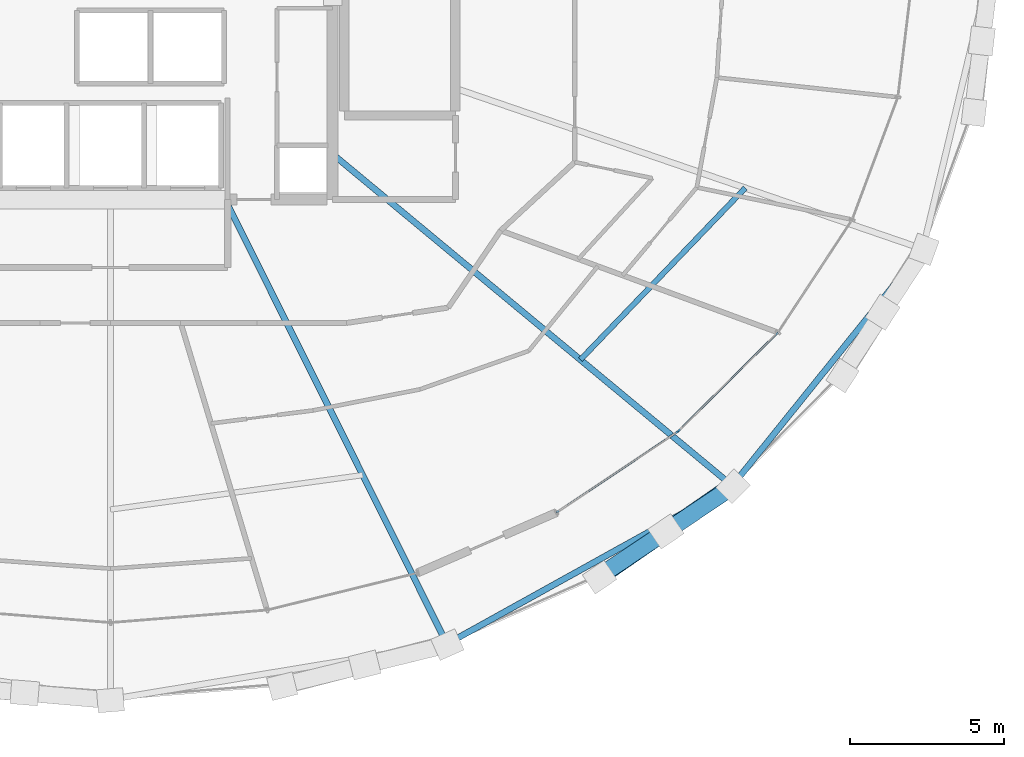
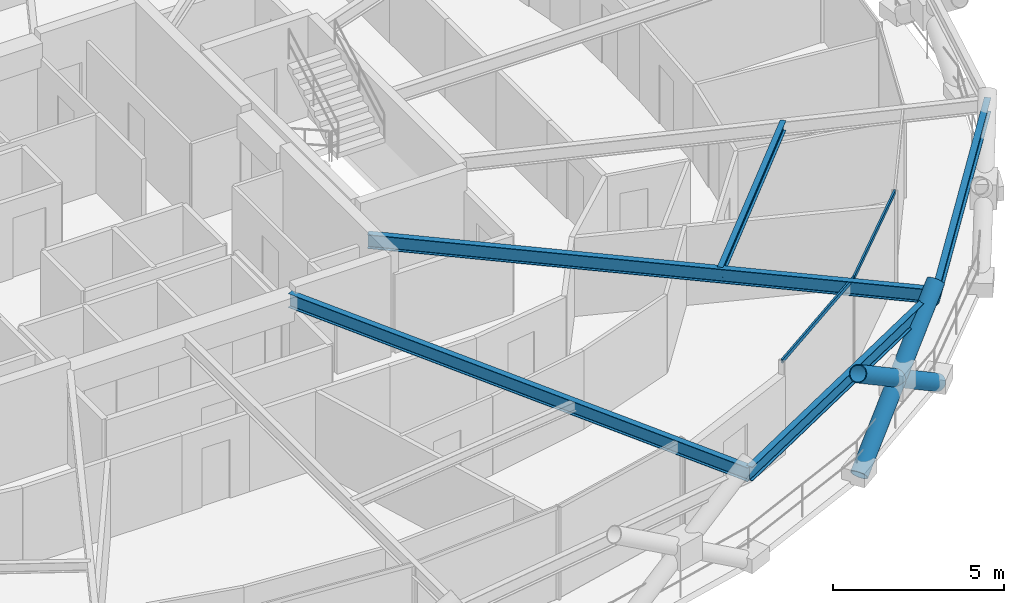
# One storey, part 5 of 20: 5 beams, 5 members, 1 element without a shape of its own.
"""IFC4 building model written with IfcOpenShell, lengths in metres."""

from ifc_helpers import new_model, si_unit, direction, frame, origin, origin_2d, place, context, subcontext, project, spatial, hollow_rectangle, hollow_circle, i_section, extrude, material, layer, layer_set, material_profile, profile_set, type_object, element, aggregate, save


model = new_model("IFC4")

# Units and contexts
model_context = context("Model", 3, precision=1e-05, world=origin(), true_north=direction((0.0, 1.0)))
body_context = subcontext(model_context, "Body", "Model", "MODEL_VIEW")
ifc_project = project(units=[si_unit("LENGTHUNIT", "METRE"), si_unit("AREAUNIT", "SQUARE_METRE"), si_unit("VOLUMEUNIT", "CUBIC_METRE"), si_unit("PLANEANGLEUNIT", "RADIAN"), si_unit("MASSUNIT", "GRAM", prefix="KILO")], contexts=[model_context])

# Site, building, storey
site_placement = place(None, origin())
site = spatial("IfcSite", under=ifc_project, at=site_placement, CompositionType="ELEMENT")
building_placement = place(site_placement, origin())
building = spatial("IfcBuilding", under=site, at=building_placement, Name="Veldorina Hangang Commons", CompositionType="ELEMENT")
storey_placement = place(building_placement, frame((0.0, 0.0, 131.60009765625)))
storey = spatial("IfcBuildingStorey", under=building, at=storey_placement, Name="L33", CompositionType="ELEMENT", Elevation=131.60009765625)

# Beams
ifc_material_1 = material(Name="Steel SM420-TMC", Category="steel")
ifc_material_profile_1 = material_profile(ifc_material_1, i_section(OverallWidth=0.199951171875, OverallDepth=0.5, WebThickness=0.010009765625, FlangeThickness=0.01611328125, FilletRadius=0.01611328125, at=origin_2d()), Name="H-500x200x10x16")
ifc_profile_set_1 = profile_set([ifc_material_profile_1], Name="Steel SM420-TMC")
beam_type_1 = type_object("IfcBeamType", Name="BM-FG500", PredefinedType="BEAM", material=ifc_profile_set_1)
beam_1_placement = place(storey_placement, frame((35.718994140625, 16.550048828125, 3.099853515625), z_axis=(0.446612976084, -0.894727248715, 0.0), x_axis=(0.894727248715, 0.446612976084, 0.0)))
element("IfcBeam", 1, at=beam_1_placement, inside=storey, type_object=beam_type_1, Name="L33 radial floor girder 14", PredefinedType="BEAM", context=body_context, shape_type="SweptSolid", body=[
    extrude(i_section(OverallWidth=0.199951171875, OverallDepth=0.5, WebThickness=0.010009765625, FlangeThickness=0.01611328125, FilletRadius=0.01611328125, at=origin_2d()), origin(), (0.0, 0.0, 1.0), 16.099365234375),
])
beam_2_placement = place(storey_placement, frame((39.199951171875, 18.025390625, 3.099853515625), z_axis=(0.769568516304, -0.638564247914, 0.0), x_axis=(0.638564247914, 0.769568516304, 0.0)))
element("IfcBeam", 2, at=beam_2_placement, inside=storey, type_object=beam_type_1, Name="L33 radial floor girder 15", PredefinedType="BEAM", context=body_context, shape_type="SweptSolid", body=[
    extrude(i_section(OverallWidth=0.199951171875, OverallDepth=0.5, WebThickness=0.010009765625, FlangeThickness=0.01611328125, FilletRadius=0.01611328125, at=origin_2d()), origin(), (0.0, 0.0, 1.0), 16.837646484375),
])
ifc_material_2 = material(Name="Steel SM355-TMC", Category="steel")
ifc_material_profile_2 = material_profile(ifc_material_2, i_section(OverallWidth=0.175048828125, OverallDepth=0.35009765625, WebThickness=0.007080078125, FlangeThickness=0.010986328125, FilletRadius=0.012939453125, at=origin_2d()), Name="H-350x175x7x11")
ifc_profile_set_2 = profile_set([ifc_material_profile_2], Name="Steel SM355-TMC")
beam_type_2 = type_object("IfcBeamType", Name="BM-JST350", PredefinedType="JOIST", material=ifc_profile_set_2)
beam_3_placement = place(storey_placement, frame((47.23388671875, 11.359130859375, 3.1748046875), z_axis=(0.69240472255, 0.721509320931, 0.0), x_axis=(-0.721509320931, 0.69240472255, 0.0)))
element("IfcBeam", 3, at=beam_3_placement, inside=storey, type_object=beam_type_2, Name="L33 secondary floor joist 15", PredefinedType="JOIST", context=body_context, shape_type="SweptSolid", body=[
    extrude(i_section(OverallWidth=0.175048828125, OverallDepth=0.35009765625, WebThickness=0.007080078125, FlangeThickness=0.010986328125, FilletRadius=0.012939453125, at=origin_2d()), origin(), (0.0, 0.0, 1.0), 7.71728515625),
])
ifc_material_profile_3 = material_profile(ifc_material_1, i_section(OverallWidth=0.199951171875, OverallDepth=0.5, WebThickness=0.010009765625, FlangeThickness=0.01611328125, FilletRadius=0.01611328125, at=origin_2d()), Name="H-500x200x10x16")
ifc_profile_set_3 = profile_set([ifc_material_profile_3], Name="Steel SM420-TMC")
beam_type_3 = type_object("IfcBeamType", Name="BM-RB500", PredefinedType="BEAM", material=ifc_profile_set_3)
beam_4_placement = place(storey_placement, frame((42.9091796875, 2.1455078125, 3.099853515625), z_axis=(0.8745642501, 0.484909653902, 0.0), x_axis=(-0.484909653902, 0.8745642501, 0.0)))
element("IfcBeam", 4, at=beam_4_placement, inside=storey, type_object=beam_type_3, Name="L33 perimeter hoop ring beam 26", PredefinedType="BEAM", context=body_context, shape_type="SweptSolid", body=[
    extrude(i_section(OverallWidth=0.199951171875, OverallDepth=0.5, WebThickness=0.010009765625, FlangeThickness=0.01611328125, FilletRadius=0.01611328125, at=origin_2d()), origin(), (0.0, 0.0, 1.0), 10.574951171875),
])
beam_5_placement = place(storey_placement, frame((52.15771484375, 7.2734375, 3.099853515625), z_axis=(0.627178835143, 0.778875284464, 0.0), x_axis=(-0.778875284464, 0.627178835143, 0.0)))
element("IfcBeam", 5, at=beam_5_placement, inside=storey, type_object=beam_type_3, Name="L33 perimeter hoop ring beam 28", PredefinedType="BEAM", context=body_context, shape_type="SweptSolid", body=[
    extrude(i_section(OverallWidth=0.199951171875, OverallDepth=0.5, WebThickness=0.010009765625, FlangeThickness=0.01611328125, FilletRadius=0.01611328125, at=origin_2d()), origin(), (0.0, 0.0, 1.0), 9.852783203125),
])

# Curtain wall, members
ifc_material_3 = material(Name="Glass Low-E Triple IGU", Category="glass")
ifc_layer = layer(ifc_material_3, 0.179931640625)
ifc_layer_set = layer_set([ifc_layer], Name="Glass Low-E Triple IGU")
curtain_wall_type = type_object("IfcCurtainWallType", Name="CW-SYS-Z2", PredefinedType="NOTDEFINED", material=ifc_layer_set)
curtain_wall_placement = place(storey_placement, origin())
curtain_wall = element("IfcCurtainWall", 6, at=curtain_wall_placement, inside=storey, type_object=curtain_wall_type, Name="L33 unitised curtain wall CW-L33-R2", PredefinedType="NOTDEFINED")
ifc_material_4 = material(Name="Aluminium Anodized AA6063-T6", Category="aluminium")
ifc_material_profile_4 = material_profile(ifc_material_4, hollow_rectangle(XDim=0.06005859375, YDim=0.139892578125, WallThickness=0.00341796875, at=origin_2d()), Name="ALU-RHS-140x60x3.5")
ifc_profile_set_4 = profile_set([ifc_material_profile_4], Name="Aluminium Anodized AA6063-T6")
member_type_1 = type_object("IfcMemberType", Name="CW-TRN-140", PredefinedType="USERDEFINED", material=ifc_profile_set_4)
member_1_placement = place(storey_placement, frame((46.4580078125, 6.405517578125, 3.27001953125), z_axis=(0.83180461951, 0.555068531771, 0.0), x_axis=(-0.555068531771, 0.83180461951, 0.0)))
member_1 = element("IfcMember", 7, at=member_1_placement, type_object=member_type_1, Name="CW-L33-R2 facet 1 transom 1", ObjectType="TRANSOM", PredefinedType="USERDEFINED", context=body_context, shape_type="SweptSolid", body=[
    extrude(hollow_rectangle(XDim=0.06005859375, YDim=0.139892578125, WallThickness=0.00341796875, at=origin_2d()), origin(), (0.0, 0.0, 1.0), 4.740966796875),
])
member_2_placement = place(storey_placement, frame((50.401611328125, 9.037109375, 3.27001953125), z_axis=(0.710341326397, 0.703857371924, 0.0), x_axis=(-0.703857371924, 0.710341326397, 0.0)))
member_2 = element("IfcMember", 8, at=member_2_placement, type_object=member_type_1, Name="CW-L33-R2 facet 2 transom 1", ObjectType="TRANSOM", PredefinedType="USERDEFINED", context=body_context, shape_type="SweptSolid", body=[
    extrude(hollow_rectangle(XDim=0.06005859375, YDim=0.139892578125, WallThickness=0.00341796875, at=origin_2d()), origin(), (0.0, 0.0, 1.0), 4.555908203125),
])
aggregate(curtain_wall, [member_1, member_2])

# Members
ifc_material_profile_5 = material_profile(ifc_material_1, hollow_circle(Radius=0.27490234375, WallThickness=0.028076171875, at=origin_2d()), Name="CHS-550x28")
ifc_profile_set_5 = profile_set([ifc_material_profile_5], Name="Steel SM420-TMC")
member_type_2 = type_object("IfcMemberType", Name="DG-CHS550", PredefinedType="BRACE", material=ifc_profile_set_5)
member_3_placement = place(storey_placement, frame((47.85791015625, 4.310302734375, 0.0), z_axis=(0.677433996556, 0.467754795348, 0.567704704701), x_axis=(-0.568192979214, 0.82289533865, 0.0)))
element("IfcMember", 9, at=member_3_placement, inside=storey, type_object=member_type_2, Name="L33 continuous perimeter diagrid brace 27", PredefinedType="BRACE", context=body_context, shape_type="SweptSolid", body=[
    extrude(hollow_circle(Radius=0.27490234375, WallThickness=0.028076171875, at=origin_2d()), origin(), (0.0, 0.0, 1.0), 6.341064453125),
])
member_4_placement = place(storey_placement, frame((52.183349609375, 7.25537109375, 0.0), z_axis=(-0.684206563852, -0.459438604808, 0.566372268383), x_axis=(0.557469956749, -0.830197113535, 0.0)))
element("IfcMember", 10, at=member_4_placement, inside=storey, type_object=member_type_2, Name="L33 split perimeter diagrid lower brace 28", PredefinedType="BRACE", context=body_context, shape_type="SweptSolid", body=[
    extrude(hollow_circle(Radius=0.27490234375, WallThickness=0.028076171875, at=origin_2d()), origin(), (0.0, 0.0, 1.0), 3.180419921875),
])
member_5_placement = place(storey_placement, frame((50.00732421875, 5.794189453125, 1.80126953125), z_axis=(-0.684196052354, -0.45948761853, 0.566345204235), x_axis=(0.557516847286, -0.830165625037, 0.0)))
element("IfcMember", 11, at=member_5_placement, inside=storey, type_object=member_type_2, Name="L33 split perimeter diagrid upper brace 28", PredefinedType="BRACE", context=body_context, shape_type="SweptSolid", body=[
    extrude(hollow_circle(Radius=0.27490234375, WallThickness=0.028076171875, at=origin_2d()), origin(), (0.0, 0.0, 1.0), 3.17578125),
])

save(model, "model.ifc")
